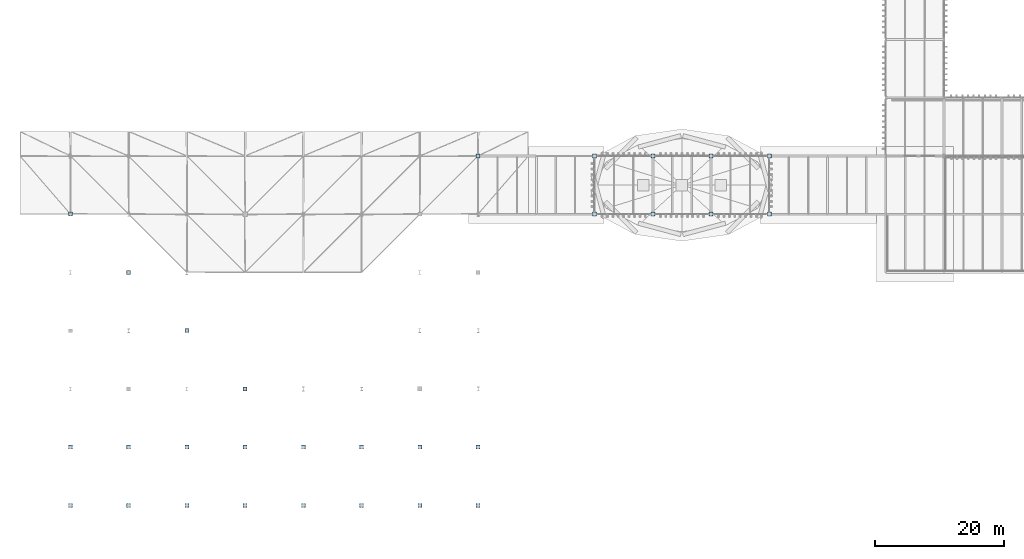
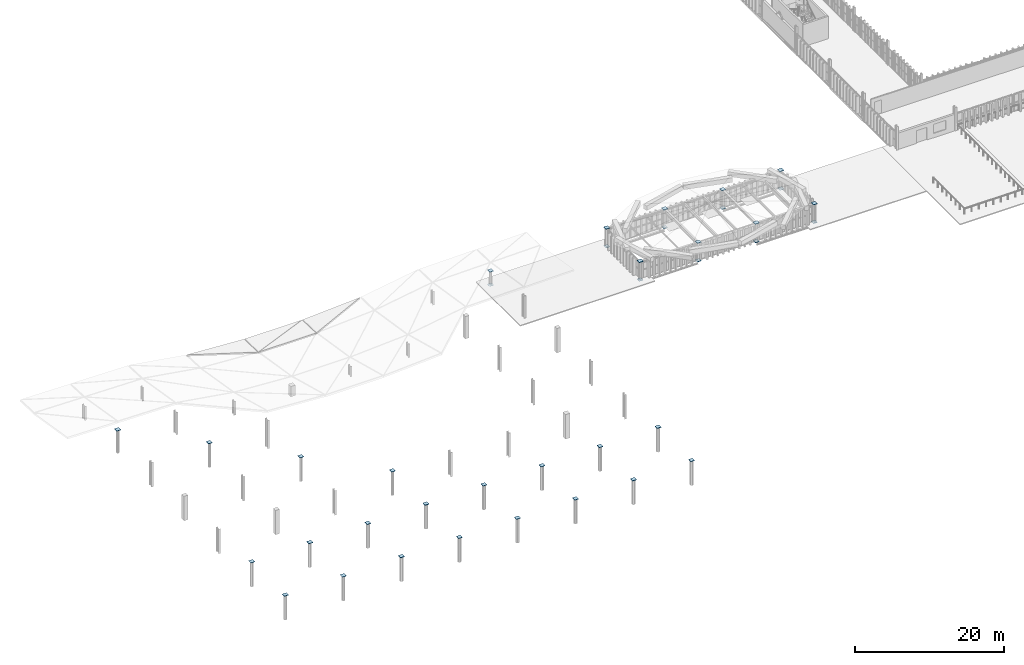
# One storey, part 88 of 102: 38 plates.
"""IFC4 building model written with IfcOpenShell, lengths in metres."""

from ifc_helpers import new_model, si_unit, direction, frame, origin, origin_2d, place, context, subcontext, project, spatial, rectangle, extrude, material, layer, layer_set, type_object, element, save


model = new_model("IFC4")

# Units and contexts
model_context = context("Model", 3, precision=1e-05, world=origin(), true_north=direction((0.0, 1.0)))
body_context = subcontext(model_context, "Body", "Model", "MODEL_VIEW")
ifc_project = project(units=[si_unit("LENGTHUNIT", "METRE"), si_unit("AREAUNIT", "SQUARE_METRE"), si_unit("VOLUMEUNIT", "CUBIC_METRE"), si_unit("PLANEANGLEUNIT", "RADIAN"), si_unit("MASSUNIT", "GRAM", prefix="KILO")], contexts=[model_context])

# Site, building, storey
site_placement = place(None, origin())
site = spatial("IfcSite", under=ifc_project, at=site_placement, CompositionType="ELEMENT")
building_placement = place(site_placement, origin())
building = spatial("IfcBuilding", under=site, at=building_placement, Name="Barlavento Convention Centre", CompositionType="ELEMENT")
storey_placement = place(building_placement, frame((0.0, 0.0, 22.800048828125)))
storey = spatial("IfcBuildingStorey", under=building, at=storey_placement, Name="L04", CompositionType="ELEMENT", Elevation=22.800048828125)

# Plates
ifc_material = material(Name="Steel S355", Category="steel")
ifc_layer = layer(ifc_material, 0.06005859375)
ifc_layer_set = layer_set([ifc_layer], Name="STR-PLT-CAP-620")
plate_type = type_object("IfcPlateType", Name="STR-PLT-CAP-620", PredefinedType="SHEET", material=ifc_layer_set)
for number, where, z_axis, x_axis, name in (
    (1, (0.0, 0.0, 3.969970703125), (0.0, 0.0, 1.0), (1.0, 0.0, 0.0), "Hollow column sealing end-cap plate EC04"),
    (2, (0.0, 9.0, 3.969970703125), (0.0, 0.0, 1.0), (1.0, 0.0, 0.0), "Hollow column sealing end-cap plate EC04"),
    (3, (0.0, 45.0, 3.7568359375), (0.0, 0.0, 1.0), (1.0, 0.0, 0.0), "Hollow column sealing end-cap plate EC04"),
    (4, (9.0, 0.0, 3.969970703125), (0.0, 0.0, 1.0), (1.0, 0.0, 0.0), "Hollow column sealing end-cap plate EC04"),
    (5, (9.0, 9.0, 3.969970703125), (0.0, 0.0, 1.0), (1.0, 0.0, 0.0), "Hollow column sealing end-cap plate EC04"),
    (6, (9.0, 36.0, 3.969970703125), (0.0, 0.0, 1.0), (1.0, 0.0, 0.0), "Hollow column sealing end-cap plate EC04"),
    (7, (18.0, 0.0, 3.969970703125), (0.0, 0.0, 1.0), (1.0, 0.0, 0.0), "Hollow column sealing end-cap plate EC04"),
    (8, (18.0, 9.0, 3.969970703125), (0.0, 0.0, 1.0), (1.0, 0.0, 0.0), "Hollow column sealing end-cap plate EC04"),
    (9, (18.0, 27.0, 3.969970703125), (0.0, 0.0, 1.0), (1.0, 0.0, 0.0), "Hollow column sealing end-cap plate EC04"),
    (10, (27.0, 0.0, 3.969970703125), (0.0, 0.0, 1.0), (1.0, 0.0, 0.0), "Hollow column sealing end-cap plate EC04"),
    (11, (27.0, 9.0, 3.969970703125), (0.0, 0.0, 1.0), (1.0, 0.0, 0.0), "Hollow column sealing end-cap plate EC04"),
    (12, (27.0, 18.0, 3.969970703125), (0.0, 0.0, 1.0), (1.0, 0.0, 0.0), "Hollow column sealing end-cap plate EC04"),
    (13, (36.0, 0.0, 3.969970703125), (0.0, 0.0, 1.0), (1.0, 0.0, 0.0), "Hollow column sealing end-cap plate EC04"),
    (14, (36.0, 9.0, 3.969970703125), (0.0, 0.0, 1.0), (1.0, 0.0, 0.0), "Hollow column sealing end-cap plate EC04"),
    (15, (45.0, 0.0, 3.969970703125), (0.0, 0.0, 1.0), (1.0, 0.0, 0.0), "Hollow column sealing end-cap plate EC04"),
    (16, (45.0, 9.0, 3.969970703125), (0.0, 0.0, 1.0), (1.0, 0.0, 0.0), "Hollow column sealing end-cap plate EC04"),
    (17, (54.0, 0.0, 3.969970703125), (0.0, 0.0, 1.0), (1.0, 0.0, 0.0), "Hollow column sealing end-cap plate EC04"),
    (18, (54.0, 9.0, 3.969970703125), (0.0, 0.0, 1.0), (1.0, 0.0, 0.0), "Hollow column sealing end-cap plate EC04"),
    (19, (63.0, 0.0, 3.969970703125), (0.0, 0.0, 1.0), (1.0, 0.0, 0.0), "Hollow column sealing end-cap plate EC04"),
    (20, (63.0, 9.0, 3.969970703125), (0.0, 0.0, 1.0), (1.0, 0.0, 0.0), "Hollow column sealing end-cap plate EC04"),
    (21, (63.0, 54.0, 2.2958984375), (0.0, 0.0, 1.0), (1.0, 0.0, 0.0), "Hollow column sealing end-cap plate EC04"),
    (22, (63.0, 54.0, -0.030029296875), (0.0, 0.0, 1.0), (1.0, 0.0, 0.0), "Hollow column sealing end-cap plate EC04"),
    (23, (81.0, 45.0, 3.02490234375), (0.0, 0.0, 1.0), (1.0, 0.0, 0.0), "Hollow column sealing end-cap plate EC04"),
    (24, (81.0, 45.0, -0.030029296875), (0.0, 0.0, 1.0), (1.0, 0.0, 0.0), "Hollow column sealing end-cap plate EC04"),
    (25, (81.0, 54.0, 3.02490234375), (0.0, 0.0, 1.0), (1.0, 0.0, 0.0), "Hollow column sealing end-cap plate EC04"),
    (26, (81.0, 54.0, -0.030029296875), (0.0, 0.0, 1.0), (1.0, 0.0, 0.0), "Hollow column sealing end-cap plate EC04"),
    (27, (90.0, 45.0, 3.02490234375), (0.0, 0.0, 1.0), (1.0, 0.0, 0.0), "Hollow column sealing end-cap plate EC04"),
    (28, (90.0, 45.0, -0.030029296875), (0.0, 0.0, 1.0), (1.0, 0.0, 0.0), "Hollow column sealing end-cap plate EC04"),
    (29, (90.0, 54.0, 3.02490234375), (0.0, 0.0, 1.0), (1.0, 0.0, 0.0), "Hollow column sealing end-cap plate EC04"),
    (30, (90.0, 54.0, -0.030029296875), (0.0, 0.0, 1.0), (1.0, 0.0, 0.0), "Hollow column sealing end-cap plate EC04"),
    (31, (99.0, 45.0, 3.02490234375), (0.0, 0.0, 1.0), (1.0, 0.0, 0.0), "Hollow column sealing end-cap plate EC04"),
    (32, (99.0, 45.0, -0.030029296875), (0.0, 0.0, 1.0), (1.0, 0.0, 0.0), "Hollow column sealing end-cap plate EC04"),
    (33, (99.0, 54.0, 3.02490234375), (0.0, 0.0, 1.0), (1.0, 0.0, 0.0), "Hollow column sealing end-cap plate EC04"),
    (34, (99.0, 54.0, -0.030029296875), (0.0, 0.0, 1.0), (1.0, 0.0, 0.0), "Hollow column sealing end-cap plate EC04"),
    (35, (108.0, 45.0, 3.02490234375), (0.0, 0.0, 1.0), (1.0, 0.0, 0.0), "Hollow column sealing end-cap plate EC04"),
    (36, (108.0, 45.0, -0.030029296875), (0.0, 0.0, 1.0), (1.0, 0.0, 0.0), "Hollow column sealing end-cap plate EC04"),
    (37, (108.0, 54.0, 3.02490234375), (0.0, 0.0, 1.0), (1.0, 0.0, 0.0), "Hollow column sealing end-cap plate EC04"),
    (38, (108.0, 54.0, -0.030029296875), (0.0, 0.0, 1.0), (1.0, 0.0, 0.0), "Hollow column sealing end-cap plate EC04"),
):
    element("IfcPlate", number, at=place(storey_placement, frame(where, z_axis=z_axis, x_axis=x_axis)), inside=storey, type_object=plate_type, Name=name, PredefinedType="SHEET", context=body_context, shape_type="SweptSolid", body=[
        extrude(rectangle(XDim=0.6201171875, YDim=0.6201171875, at=origin_2d()), origin(), (0.0, 0.0, 1.0), 0.06005859375),
    ])

save(model, "model.ifc")
